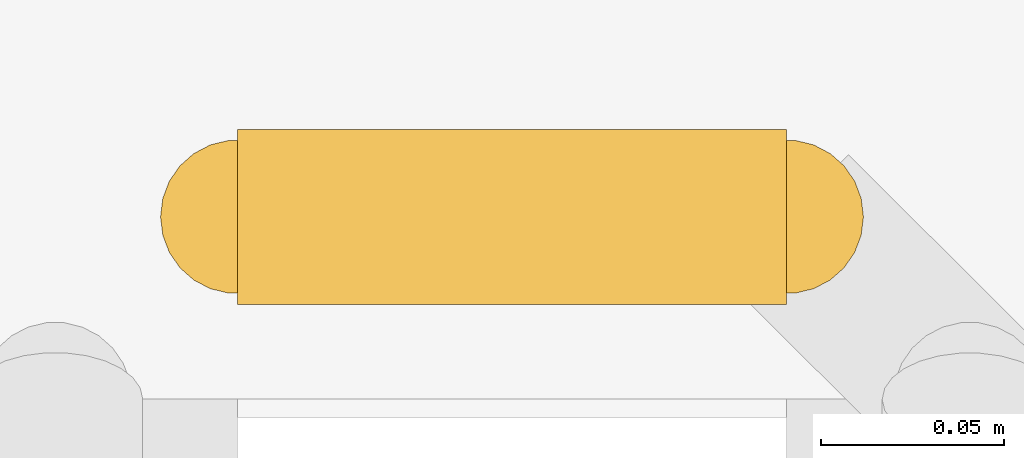
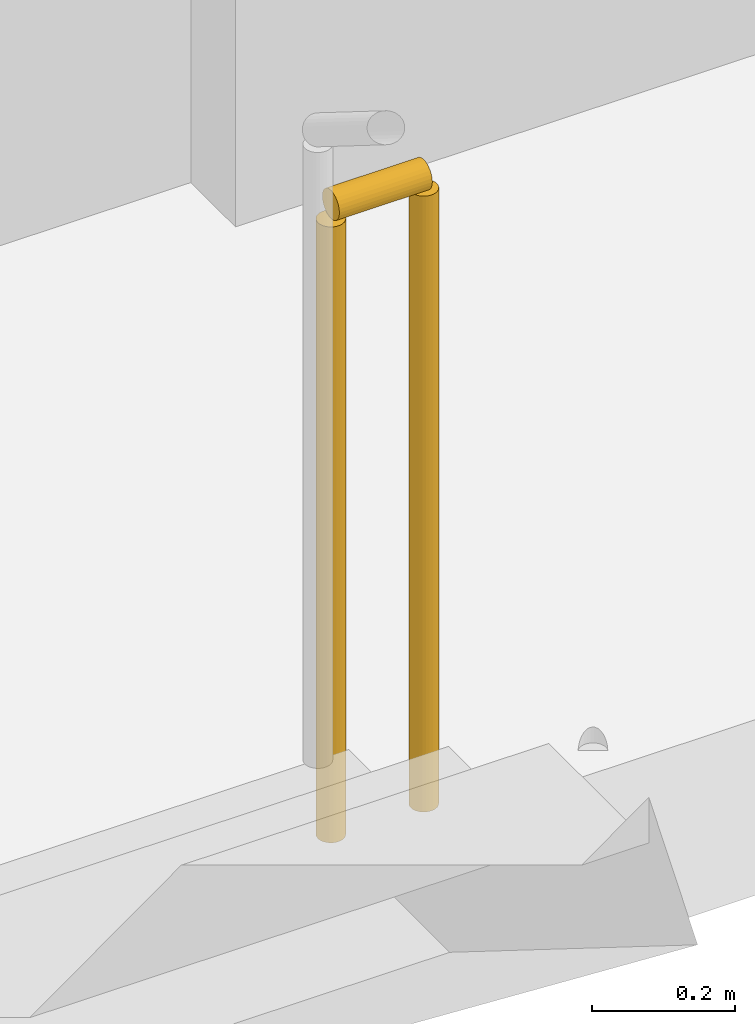
# One storey, part 19 of 24: 1 railing.
"""IFC4 building model written with IfcOpenShell, lengths in metres."""

from ifc_helpers import new_model, si_unit, direction, frame, origin, origin_2d, place, context, subcontext, project, spatial, circle, extrude, material, type_object, element, save


model = new_model("IFC4")

# Units and contexts
model_context = context("Model", 3, precision=1e-05, world=origin(), true_north=direction((0.0, 1.0)))
body_context = subcontext(model_context, "Body", "Model", "MODEL_VIEW")
ifc_project = project(units=[si_unit("LENGTHUNIT", "METRE"), si_unit("AREAUNIT", "SQUARE_METRE"), si_unit("VOLUMEUNIT", "CUBIC_METRE"), si_unit("PLANEANGLEUNIT", "RADIAN"), si_unit("MASSUNIT", "GRAM", prefix="KILO")], contexts=[model_context])

# Site, building, storey
site_placement = place(None, origin())
site = spatial("IfcSite", under=ifc_project, at=site_placement, CompositionType="ELEMENT")
building_placement = place(site_placement, origin())
building = spatial("IfcBuilding", under=site, at=building_placement, Name="Mopane Tessera Tower", CompositionType="ELEMENT")
storey_placement = place(building_placement, frame((0.0, 0.0, 148.60009765625)))
storey = spatial("IfcBuildingStorey", under=building, at=storey_placement, Name="L30", CompositionType="ELEMENT", Elevation=148.60009765625)

# Railing
ifc_material = material(Name="Powder-coated steel balustrade", Category="steel")
railing_type = type_object("IfcRailingType", Name="Escape stair guard 1100 mm", PredefinedType="GUARDRAIL", material=ifc_material)
railing_placement = place(storey_placement, frame((-12.35009765625, -1.35009765625, 0.0)))
element("IfcRailing", 1, at=railing_placement, inside=storey, type_object=railing_type, Name="L30 ST1 stair guard 5", PredefinedType="GUARDRAIL", context=body_context, shape_type="SweptSolid", body=[
    extrude(circle(Radius=0.02392578125, at=origin_2d()), frame((0.0, 0.0, 1.076171875), z_axis=(1.0, 0.0, 0.0), x_axis=(0.0, 1.0, 0.0)), (0.0, 0.0, 1.0), 0.150146484375),
    extrude(circle(Radius=0.02099609375, at=origin_2d()), origin(), (0.0, 0.0, 1.0), 1.052001953125),
    extrude(circle(Radius=0.02099609375, at=origin_2d()), frame((0.150146484375, 0.0, 0.0)), (0.0, 0.0, 1.0), 1.052001953125),
])

save(model, "model.ifc")
